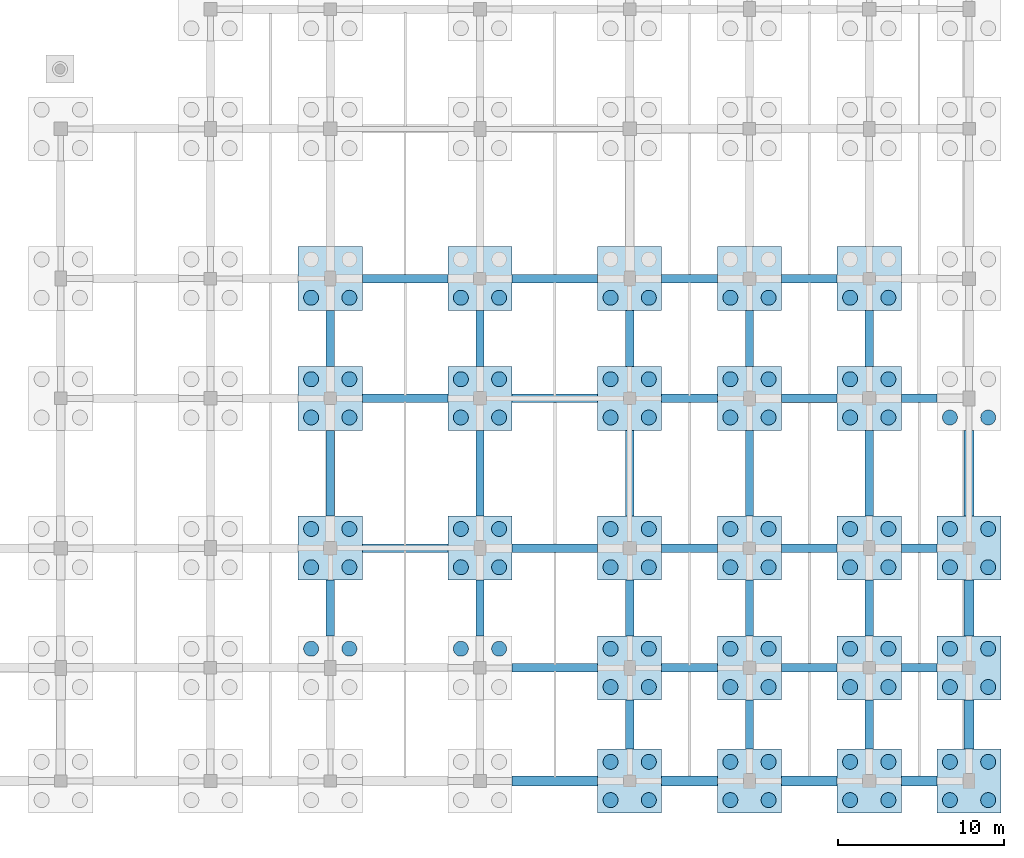
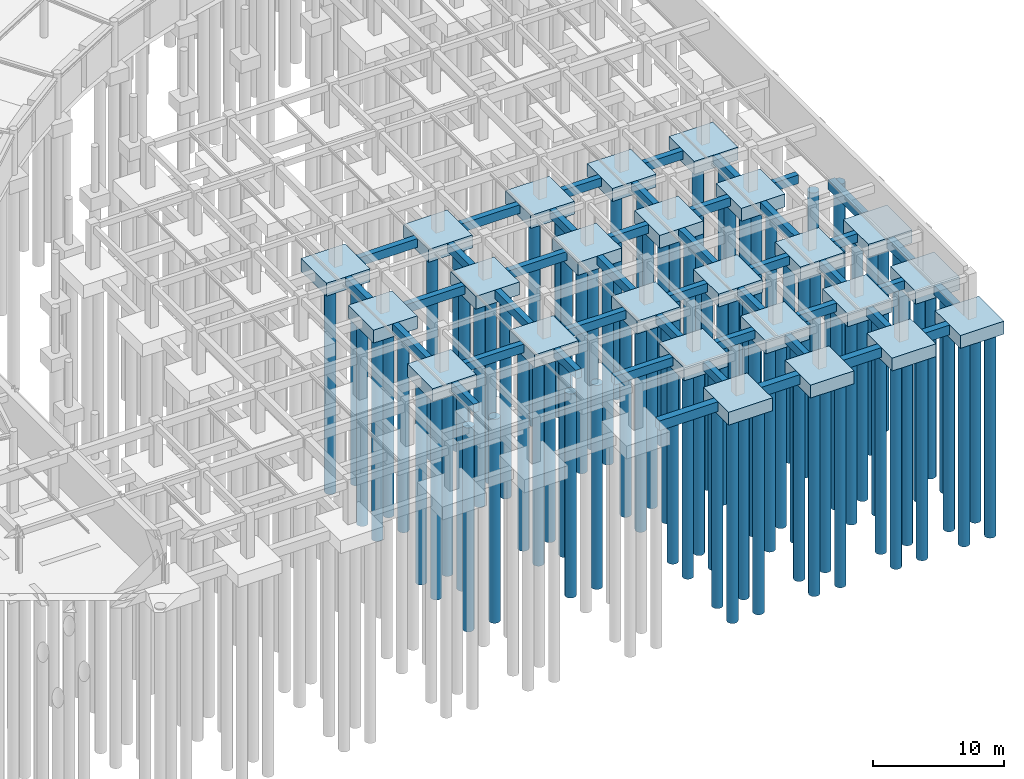
# One storey, part 9 of 42: 92 piles, 67 footings.
"""IFC4 building model written with IfcOpenShell, lengths in metres."""

from ifc_helpers import new_model, si_unit, direction, frame, frame_2d, origin, origin_2d, place, context, subcontext, project, spatial, rectangle, circle, extrude, material, material_profile, profile_set, type_object, element, save


model = new_model("IFC4")

# Units and contexts
model_context = context("Model", 3, precision=1e-05, world=origin(), true_north=direction((0.0, 1.0)))
body_context = subcontext(model_context, "Body", "Model", "MODEL_VIEW")
ifc_project = project(units=[si_unit("LENGTHUNIT", "METRE"), si_unit("AREAUNIT", "SQUARE_METRE"), si_unit("VOLUMEUNIT", "CUBIC_METRE"), si_unit("PLANEANGLEUNIT", "RADIAN"), si_unit("MASSUNIT", "GRAM", prefix="KILO")], contexts=[model_context])

# Site, building, storey
site_placement = place(None, origin())
site = spatial("IfcSite", under=ifc_project, at=site_placement, CompositionType="ELEMENT")
building_placement = place(site_placement, origin())
building = spatial("IfcBuilding", under=site, at=building_placement, Name="Clarverna Civic Hall", CompositionType="ELEMENT")
storey_placement = place(building_placement, frame((0.0, 0.0, -4.199951171875)))
storey = spatial("IfcBuildingStorey", under=building, at=storey_placement, Name="B01", CompositionType="ELEMENT", Elevation=-4.199951171875)

# Footings
ifc_material = material(Name="Concrete C30/37", Category="concrete")
footing_type_1 = type_object("IfcFootingType", Name="FC-02", PredefinedType="PILE_CAP", material=ifc_material)
for number, where, z_axis, x_axis, name in (
    (1, (129.60009765625, 14.0, -1.2001953125), (0.0, 0.0, 1.0), (1.0, 0.0, 0.0), "FC-02-113"),
    (2, (129.60009765625, 23.0, -1.2001953125), (0.0, 0.0, 1.0), (1.0, 0.0, 0.0), "FC-02-114"),
    (3, (129.60009765625, 30.199951171875, -1.2001953125), (0.0, 0.0, 1.0), (1.0, 0.0, 0.0), "FC-02-115"),
    (4, (138.60009765625, 14.0, -1.2001953125), (0.0, 0.0, 1.0), (1.0, 0.0, 0.0), "FC-02-120"),
    (5, (138.60009765625, 23.0, -1.2001953125), (0.0, 0.0, 1.0), (1.0, 0.0, 0.0), "FC-02-121"),
    (6, (138.60009765625, 30.199951171875, -1.2001953125), (0.0, 0.0, 1.0), (1.0, 0.0, 0.0), "FC-02-122"),
    (7, (147.60009765625, 0.0, -1.2001953125), (0.0, 0.0, 1.0), (1.0, 0.0, 0.0), "FC-02-125"),
    (8, (147.60009765625, 6.800048828125, -1.2001953125), (0.0, 0.0, 1.0), (1.0, 0.0, 0.0), "FC-02-126"),
    (9, (147.60009765625, 14.0, -1.2001953125), (0.0, 0.0, 1.0), (1.0, 0.0, 0.0), "FC-02-127"),
    (10, (147.60009765625, 23.0, -1.2001953125), (0.0, 0.0, 1.0), (1.0, 0.0, 0.0), "FC-02-128"),
    (11, (147.60009765625, 30.199951171875, -1.2001953125), (0.0, 0.0, 1.0), (1.0, 0.0, 0.0), "FC-02-129"),
    (12, (154.800048828125, 0.0, -1.2001953125), (0.0, 0.0, 1.0), (1.0, 0.0, 0.0), "FC-02-133"),
    (13, (154.800048828125, 6.800048828125, -1.2001953125), (0.0, 0.0, 1.0), (1.0, 0.0, 0.0), "FC-02-134"),
    (14, (154.800048828125, 14.0, -1.2001953125), (0.0, 0.0, 1.0), (1.0, 0.0, 0.0), "FC-02-135"),
    (15, (154.800048828125, 23.0, -1.2001953125), (0.0, 0.0, 1.0), (1.0, 0.0, 0.0), "FC-02-136"),
    (16, (154.800048828125, 30.199951171875, -1.2001953125), (0.0, 0.0, 1.0), (1.0, 0.0, 0.0), "FC-02-137"),
    (17, (162.0, 0.0, -1.2001953125), (0.0, 0.0, 1.0), (1.0, 0.0, 0.0), "FC-02-142"),
    (18, (162.0, 6.800048828125, -1.2001953125), (0.0, 0.0, 1.0), (1.0, 0.0, 0.0), "FC-02-143"),
    (19, (162.0, 14.0, -1.2001953125), (0.0, 0.0, 1.0), (1.0, 0.0, 0.0), "FC-02-144"),
    (20, (162.0, 23.0, -1.2001953125), (0.0, 0.0, 1.0), (1.0, 0.0, 0.0), "FC-02-145"),
    (21, (162.0, 30.199951171875, -1.2001953125), (0.0, 0.0, 1.0), (1.0, 0.0, 0.0), "FC-02-146"),
    (22, (168.0, 0.0, -1.2001953125), (0.0, 0.0, 1.0), (1.0, 0.0, 0.0), "FC-02-151"),
    (23, (168.0, 6.800048828125, -1.2001953125), (0.0, 0.0, 1.0), (1.0, 0.0, 0.0), "FC-02-152"),
    (24, (168.0, 14.0, -1.2001953125), (0.0, 0.0, 1.0), (1.0, 0.0, 0.0), "FC-02-153"),
):
    element("IfcFooting", number, at=place(storey_placement, frame(where, z_axis=z_axis, x_axis=x_axis)), inside=storey, type_object=footing_type_1, Name=name, PredefinedType="PILE_CAP", context=body_context, shape_type="SweptSolid", body=[
        extrude(rectangle(XDim=3.85009765625, YDim=3.85009765625, at=origin_2d()), origin(), (0.0, 0.0, 1.0), 1.199951171875),
    ])
footing_type_2 = type_object("IfcFootingType", Name="GB-01", PredefinedType="FOOTING_BEAM", material=ifc_material)
footing_1_placement = place(storey_placement, frame((140.52490234375, 6.800048828125, -0.800048828125), z_axis=(0.0, 0.0, 1.0), x_axis=(1.0, 0.0, 0.0)))
element("IfcFooting", 25, at=footing_1_placement, inside=storey, type_object=footing_type_2, Name="GB-01-015", PredefinedType="FOOTING_BEAM", context=body_context, shape_type="SweptSolid", body=[
    extrude(rectangle(XDim=5.150146484375, YDim=0.5, at=frame_2d((2.5751953125, 0.0))), origin(), (0.0, 0.0, 1.0), 0.800048828125),
])
footing_2_placement = place(storey_placement, frame((149.52490234375, 6.800048828125, -0.800048828125), z_axis=(0.0, 0.0, 1.0), x_axis=(1.0, 0.0, 0.0)))
element("IfcFooting", 26, at=footing_2_placement, inside=storey, type_object=footing_type_2, Name="GB-01-016", PredefinedType="FOOTING_BEAM", context=body_context, shape_type="SweptSolid", body=[
    extrude(rectangle(XDim=3.35009765625, YDim=0.5, at=frame_2d((1.675048828125, 0.0))), origin(), (0.0, 0.0, 1.0), 0.800048828125),
])
footing_3_placement = place(storey_placement, frame((156.72509765625, 6.800048828125, -0.800048828125), z_axis=(0.0, 0.0, 1.0), x_axis=(1.0, 0.0, 0.0)))
element("IfcFooting", 27, at=footing_3_placement, inside=storey, type_object=footing_type_2, Name="GB-01-017", PredefinedType="FOOTING_BEAM", context=body_context, shape_type="SweptSolid", body=[
    extrude(rectangle(XDim=3.349853515625, YDim=0.5, at=frame_2d((1.6748046875, 0.0))), origin(), (0.0, 0.0, 1.0), 0.800048828125),
])
footing_4_placement = place(storey_placement, frame((163.925048828125, 6.800048828125, -0.800048828125), z_axis=(0.0, 0.0, 1.0), x_axis=(1.0, 0.0, 0.0)))
element("IfcFooting", 28, at=footing_4_placement, inside=storey, type_object=footing_type_2, Name="GB-01-018", PredefinedType="FOOTING_BEAM", context=body_context, shape_type="SweptSolid", body=[
    extrude(rectangle(XDim=2.14990234375, YDim=0.5, at=frame_2d((1.074951171875, 0.0))), origin(), (0.0, 0.0, 1.0), 0.800048828125),
])
for number, where, z_axis, x_axis, name in (
    (29, (131.52490234375, 14.0, -0.800048828125), (0.0, 0.0, 1.0), (1.0, 0.0, 0.0), "GB-01-034"),
    (30, (140.52490234375, 14.0, -0.800048828125), (0.0, 0.0, 1.0), (1.0, 0.0, 0.0), "GB-01-035"),
):
    element("IfcFooting", number, at=place(storey_placement, frame(where, z_axis=z_axis, x_axis=x_axis)), inside=storey, type_object=footing_type_2, Name=name, PredefinedType="FOOTING_BEAM", context=body_context, shape_type="SweptSolid", body=[
        extrude(rectangle(XDim=5.150146484375, YDim=0.5, at=frame_2d((2.5751953125, 0.0))), origin(), (0.0, 0.0, 1.0), 0.800048828125),
    ])
footing_5_placement = place(storey_placement, frame((149.52490234375, 14.0, -0.800048828125), z_axis=(0.0, 0.0, 1.0), x_axis=(1.0, 0.0, 0.0)))
element("IfcFooting", 31, at=footing_5_placement, inside=storey, type_object=footing_type_2, Name="GB-01-036", PredefinedType="FOOTING_BEAM", context=body_context, shape_type="SweptSolid", body=[
    extrude(rectangle(XDim=3.35009765625, YDim=0.5, at=frame_2d((1.675048828125, 0.0))), origin(), (0.0, 0.0, 1.0), 0.800048828125),
])
footing_6_placement = place(storey_placement, frame((156.72509765625, 14.0, -0.800048828125), z_axis=(0.0, 0.0, 1.0), x_axis=(1.0, 0.0, 0.0)))
element("IfcFooting", 32, at=footing_6_placement, inside=storey, type_object=footing_type_2, Name="GB-01-037", PredefinedType="FOOTING_BEAM", context=body_context, shape_type="SweptSolid", body=[
    extrude(rectangle(XDim=3.349853515625, YDim=0.5, at=frame_2d((1.6748046875, 0.0))), origin(), (0.0, 0.0, 1.0), 0.800048828125),
])
footing_7_placement = place(storey_placement, frame((163.925048828125, 14.0, -0.800048828125), z_axis=(0.0, 0.0, 1.0), x_axis=(1.0, 0.0, 0.0)))
element("IfcFooting", 33, at=footing_7_placement, inside=storey, type_object=footing_type_2, Name="GB-01-038", PredefinedType="FOOTING_BEAM", context=body_context, shape_type="SweptSolid", body=[
    extrude(rectangle(XDim=2.14990234375, YDim=0.5, at=frame_2d((1.074951171875, 0.0))), origin(), (0.0, 0.0, 1.0), 0.800048828125),
])
for number, where, z_axis, x_axis, name in (
    (34, (131.52490234375, 23.0, -0.800048828125), (0.0, 0.0, 1.0), (1.0, 0.0, 0.0), "GB-01-044"),
    (35, (140.52490234375, 23.0, -0.800048828125), (0.0, 0.0, 1.0), (1.0, 0.0, 0.0), "GB-01-045"),
):
    element("IfcFooting", number, at=place(storey_placement, frame(where, z_axis=z_axis, x_axis=x_axis)), inside=storey, type_object=footing_type_2, Name=name, PredefinedType="FOOTING_BEAM", context=body_context, shape_type="SweptSolid", body=[
        extrude(rectangle(XDim=5.150146484375, YDim=0.5, at=frame_2d((2.5751953125, 0.0))), origin(), (0.0, 0.0, 1.0), 0.800048828125),
    ])
footing_8_placement = place(storey_placement, frame((149.52490234375, 23.0, -0.800048828125), z_axis=(0.0, 0.0, 1.0), x_axis=(1.0, 0.0, 0.0)))
element("IfcFooting", 36, at=footing_8_placement, inside=storey, type_object=footing_type_2, Name="GB-01-046", PredefinedType="FOOTING_BEAM", context=body_context, shape_type="SweptSolid", body=[
    extrude(rectangle(XDim=3.35009765625, YDim=0.5, at=frame_2d((1.675048828125, 0.0))), origin(), (0.0, 0.0, 1.0), 0.800048828125),
])
footing_9_placement = place(storey_placement, frame((156.72509765625, 23.0, -0.800048828125), z_axis=(0.0, 0.0, 1.0), x_axis=(1.0, 0.0, 0.0)))
element("IfcFooting", 37, at=footing_9_placement, inside=storey, type_object=footing_type_2, Name="GB-01-047", PredefinedType="FOOTING_BEAM", context=body_context, shape_type="SweptSolid", body=[
    extrude(rectangle(XDim=3.349853515625, YDim=0.5, at=frame_2d((1.6748046875, 0.0))), origin(), (0.0, 0.0, 1.0), 0.800048828125),
])
footing_10_placement = place(storey_placement, frame((163.925048828125, 23.0, -0.800048828125), z_axis=(0.0, 0.0, 1.0), x_axis=(1.0, 0.0, 0.0)))
element("IfcFooting", 38, at=footing_10_placement, inside=storey, type_object=footing_type_2, Name="GB-01-048", PredefinedType="FOOTING_BEAM", context=body_context, shape_type="SweptSolid", body=[
    extrude(rectangle(XDim=2.14990234375, YDim=0.5, at=frame_2d((1.074951171875, 0.0))), origin(), (0.0, 0.0, 1.0), 0.800048828125),
])
for number, where, z_axis, x_axis, name in (
    (39, (131.52490234375, 30.199951171875, -0.800048828125), (0.0, 0.0, 1.0), (1.0, 0.0, 0.0), "GB-01-053"),
    (40, (140.52490234375, 30.199951171875, -0.800048828125), (0.0, 0.0, 1.0), (1.0, 0.0, 0.0), "GB-01-054"),
):
    element("IfcFooting", number, at=place(storey_placement, frame(where, z_axis=z_axis, x_axis=x_axis)), inside=storey, type_object=footing_type_2, Name=name, PredefinedType="FOOTING_BEAM", context=body_context, shape_type="SweptSolid", body=[
        extrude(rectangle(XDim=5.150146484375, YDim=0.5, at=frame_2d((2.5751953125, 0.0))), origin(), (0.0, 0.0, 1.0), 0.800048828125),
    ])
footing_11_placement = place(storey_placement, frame((149.52490234375, 30.199951171875, -0.800048828125), z_axis=(0.0, 0.0, 1.0), x_axis=(1.0, 0.0, 0.0)))
element("IfcFooting", 41, at=footing_11_placement, inside=storey, type_object=footing_type_2, Name="GB-01-055", PredefinedType="FOOTING_BEAM", context=body_context, shape_type="SweptSolid", body=[
    extrude(rectangle(XDim=3.35009765625, YDim=0.5, at=frame_2d((1.675048828125, 0.0))), origin(), (0.0, 0.0, 1.0), 0.800048828125),
])
for number, where, z_axis, x_axis, name in (
    (42, (156.72509765625, 30.199951171875, -0.800048828125), (0.0, 0.0, 1.0), (1.0, 0.0, 0.0), "GB-01-056"),
    (43, (129.60009765625, 8.72509765625, -0.800048828125), (0.0, 0.0, 1.0), (0.0, 1.0, 0.0), "GB-01-289"),
):
    element("IfcFooting", number, at=place(storey_placement, frame(where, z_axis=z_axis, x_axis=x_axis)), inside=storey, type_object=footing_type_2, Name=name, PredefinedType="FOOTING_BEAM", context=body_context, shape_type="SweptSolid", body=[
        extrude(rectangle(XDim=3.349853515625, YDim=0.5, at=frame_2d((1.6748046875, 0.0))), origin(), (0.0, 0.0, 1.0), 0.800048828125),
    ])
footing_12_placement = place(storey_placement, frame((129.60009765625, 15.925048828125, -0.800048828125), z_axis=(0.0, 0.0, 1.0), x_axis=(0.0, 1.0, 0.0)))
element("IfcFooting", 44, at=footing_12_placement, inside=storey, type_object=footing_type_2, Name="GB-01-290", PredefinedType="FOOTING_BEAM", context=body_context, shape_type="SweptSolid", body=[
    extrude(rectangle(XDim=5.14990234375, YDim=0.5, at=frame_2d((2.574951171875, 0.0))), origin(), (0.0, 0.0, 1.0), 0.800048828125),
])
for number, where, z_axis, x_axis, name in (
    (45, (129.60009765625, 24.925048828125, -0.800048828125), (0.0, 0.0, 1.0), (0.0, 1.0, 0.0), "GB-01-291"),
    (46, (138.60009765625, 8.72509765625, -0.800048828125), (0.0, 0.0, 1.0), (0.0, 1.0, 0.0), "GB-01-298"),
):
    element("IfcFooting", number, at=place(storey_placement, frame(where, z_axis=z_axis, x_axis=x_axis)), inside=storey, type_object=footing_type_2, Name=name, PredefinedType="FOOTING_BEAM", context=body_context, shape_type="SweptSolid", body=[
        extrude(rectangle(XDim=3.349853515625, YDim=0.5, at=frame_2d((1.6748046875, 0.0))), origin(), (0.0, 0.0, 1.0), 0.800048828125),
    ])
footing_13_placement = place(storey_placement, frame((138.60009765625, 15.925048828125, -0.800048828125), z_axis=(0.0, 0.0, 1.0), x_axis=(0.0, 1.0, 0.0)))
element("IfcFooting", 47, at=footing_13_placement, inside=storey, type_object=footing_type_2, Name="GB-01-299", PredefinedType="FOOTING_BEAM", context=body_context, shape_type="SweptSolid", body=[
    extrude(rectangle(XDim=5.14990234375, YDim=0.5, at=frame_2d((2.574951171875, 0.0))), origin(), (0.0, 0.0, 1.0), 0.800048828125),
])
footing_14_placement = place(storey_placement, frame((138.60009765625, 24.925048828125, -0.800048828125), z_axis=(0.0, 0.0, 1.0), x_axis=(0.0, 1.0, 0.0)))
element("IfcFooting", 48, at=footing_14_placement, inside=storey, type_object=footing_type_2, Name="GB-01-300", PredefinedType="FOOTING_BEAM", context=body_context, shape_type="SweptSolid", body=[
    extrude(rectangle(XDim=3.349853515625, YDim=0.5, at=frame_2d((1.6748046875, 0.0))), origin(), (0.0, 0.0, 1.0), 0.800048828125),
])
footing_15_placement = place(storey_placement, frame((147.60009765625, 1.925048828125, -0.800048828125), z_axis=(0.0, 0.0, 1.0), x_axis=(0.0, 1.0, 0.0)))
element("IfcFooting", 49, at=footing_15_placement, inside=storey, type_object=footing_type_2, Name="GB-01-304", PredefinedType="FOOTING_BEAM", context=body_context, shape_type="SweptSolid", body=[
    extrude(rectangle(XDim=2.949951171875, YDim=0.5, at=frame_2d((1.47509765625, 0.0))), origin(), (0.0, 0.0, 1.0), 0.800048828125),
])
footing_16_placement = place(storey_placement, frame((147.60009765625, 8.72509765625, -0.800048828125), z_axis=(0.0, 0.0, 1.0), x_axis=(0.0, 1.0, 0.0)))
element("IfcFooting", 50, at=footing_16_placement, inside=storey, type_object=footing_type_2, Name="GB-01-305", PredefinedType="FOOTING_BEAM", context=body_context, shape_type="SweptSolid", body=[
    extrude(rectangle(XDim=3.349853515625, YDim=0.5, at=frame_2d((1.6748046875, 0.0))), origin(), (0.0, 0.0, 1.0), 0.800048828125),
])
footing_17_placement = place(storey_placement, frame((147.60009765625, 15.925048828125, -0.800048828125), z_axis=(0.0, 0.0, 1.0), x_axis=(0.0, 1.0, 0.0)))
element("IfcFooting", 51, at=footing_17_placement, inside=storey, type_object=footing_type_2, Name="GB-01-306", PredefinedType="FOOTING_BEAM", context=body_context, shape_type="SweptSolid", body=[
    extrude(rectangle(XDim=5.14990234375, YDim=0.5, at=frame_2d((2.574951171875, 0.0))), origin(), (0.0, 0.0, 1.0), 0.800048828125),
])
footing_18_placement = place(storey_placement, frame((147.60009765625, 24.925048828125, -0.800048828125), z_axis=(0.0, 0.0, 1.0), x_axis=(0.0, 1.0, 0.0)))
element("IfcFooting", 52, at=footing_18_placement, inside=storey, type_object=footing_type_2, Name="GB-01-307", PredefinedType="FOOTING_BEAM", context=body_context, shape_type="SweptSolid", body=[
    extrude(rectangle(XDim=3.349853515625, YDim=0.5, at=frame_2d((1.6748046875, 0.0))), origin(), (0.0, 0.0, 1.0), 0.800048828125),
])
footing_19_placement = place(storey_placement, frame((154.800048828125, 1.925048828125, -0.800048828125), z_axis=(0.0, 0.0, 1.0), x_axis=(0.0, 1.0, 0.0)))
element("IfcFooting", 53, at=footing_19_placement, inside=storey, type_object=footing_type_2, Name="GB-01-319", PredefinedType="FOOTING_BEAM", context=body_context, shape_type="SweptSolid", body=[
    extrude(rectangle(XDim=2.949951171875, YDim=0.5, at=frame_2d((1.47509765625, 0.0))), origin(), (0.0, 0.0, 1.0), 0.800048828125),
])
footing_20_placement = place(storey_placement, frame((154.800048828125, 8.72509765625, -0.800048828125), z_axis=(0.0, 0.0, 1.0), x_axis=(0.0, 1.0, 0.0)))
element("IfcFooting", 54, at=footing_20_placement, inside=storey, type_object=footing_type_2, Name="GB-01-320", PredefinedType="FOOTING_BEAM", context=body_context, shape_type="SweptSolid", body=[
    extrude(rectangle(XDim=3.349853515625, YDim=0.5, at=frame_2d((1.6748046875, 0.0))), origin(), (0.0, 0.0, 1.0), 0.800048828125),
])
footing_21_placement = place(storey_placement, frame((154.800048828125, 15.925048828125, -0.800048828125), z_axis=(0.0, 0.0, 1.0), x_axis=(0.0, 1.0, 0.0)))
element("IfcFooting", 55, at=footing_21_placement, inside=storey, type_object=footing_type_2, Name="GB-01-321", PredefinedType="FOOTING_BEAM", context=body_context, shape_type="SweptSolid", body=[
    extrude(rectangle(XDim=5.14990234375, YDim=0.5, at=frame_2d((2.574951171875, 0.0))), origin(), (0.0, 0.0, 1.0), 0.800048828125),
])
footing_22_placement = place(storey_placement, frame((154.800048828125, 24.925048828125, -0.800048828125), z_axis=(0.0, 0.0, 1.0), x_axis=(0.0, 1.0, 0.0)))
element("IfcFooting", 56, at=footing_22_placement, inside=storey, type_object=footing_type_2, Name="GB-01-322", PredefinedType="FOOTING_BEAM", context=body_context, shape_type="SweptSolid", body=[
    extrude(rectangle(XDim=3.349853515625, YDim=0.5, at=frame_2d((1.6748046875, 0.0))), origin(), (0.0, 0.0, 1.0), 0.800048828125),
])
footing_23_placement = place(storey_placement, frame((162.0, 1.925048828125, -0.800048828125), z_axis=(0.0, 0.0, 1.0), x_axis=(0.0, 1.0, 0.0)))
element("IfcFooting", 57, at=footing_23_placement, inside=storey, type_object=footing_type_2, Name="GB-01-334", PredefinedType="FOOTING_BEAM", context=body_context, shape_type="SweptSolid", body=[
    extrude(rectangle(XDim=2.949951171875, YDim=0.5, at=frame_2d((1.47509765625, 0.0))), origin(), (0.0, 0.0, 1.0), 0.800048828125),
])
footing_24_placement = place(storey_placement, frame((162.0, 8.72509765625, -0.800048828125), z_axis=(0.0, 0.0, 1.0), x_axis=(0.0, 1.0, 0.0)))
element("IfcFooting", 58, at=footing_24_placement, inside=storey, type_object=footing_type_2, Name="GB-01-335", PredefinedType="FOOTING_BEAM", context=body_context, shape_type="SweptSolid", body=[
    extrude(rectangle(XDim=3.349853515625, YDim=0.5, at=frame_2d((1.6748046875, 0.0))), origin(), (0.0, 0.0, 1.0), 0.800048828125),
])
footing_25_placement = place(storey_placement, frame((162.0, 15.925048828125, -0.800048828125), z_axis=(0.0, 0.0, 1.0), x_axis=(0.0, 1.0, 0.0)))
element("IfcFooting", 59, at=footing_25_placement, inside=storey, type_object=footing_type_2, Name="GB-01-336", PredefinedType="FOOTING_BEAM", context=body_context, shape_type="SweptSolid", body=[
    extrude(rectangle(XDim=5.14990234375, YDim=0.5, at=frame_2d((2.574951171875, 0.0))), origin(), (0.0, 0.0, 1.0), 0.800048828125),
])
footing_26_placement = place(storey_placement, frame((162.0, 24.925048828125, -0.800048828125), z_axis=(0.0, 0.0, 1.0), x_axis=(0.0, 1.0, 0.0)))
element("IfcFooting", 60, at=footing_26_placement, inside=storey, type_object=footing_type_2, Name="GB-01-337", PredefinedType="FOOTING_BEAM", context=body_context, shape_type="SweptSolid", body=[
    extrude(rectangle(XDim=3.349853515625, YDim=0.5, at=frame_2d((1.6748046875, 0.0))), origin(), (0.0, 0.0, 1.0), 0.800048828125),
])
footing_type_3 = type_object("IfcFootingType", Name="GB-02", PredefinedType="FOOTING_BEAM", material=ifc_material)
footing_27_placement = place(storey_placement, frame((140.52490234375, 0.0, -0.900146484375), z_axis=(0.0, 0.0, 1.0), x_axis=(1.0, 0.0, 0.0)))
element("IfcFooting", 61, at=footing_27_placement, inside=storey, type_object=footing_type_3, Name="GB-02-017", PredefinedType="FOOTING_BEAM", context=body_context, shape_type="SweptSolid", body=[
    extrude(rectangle(XDim=5.150146484375, YDim=0.60009765625, at=frame_2d((2.5751953125, 0.0))), origin(), (0.0, 0.0, 1.0), 0.900146484375),
])
footing_28_placement = place(storey_placement, frame((149.52490234375, 0.0, -0.900146484375), z_axis=(0.0, 0.0, 1.0), x_axis=(1.0, 0.0, 0.0)))
element("IfcFooting", 62, at=footing_28_placement, inside=storey, type_object=footing_type_3, Name="GB-02-018", PredefinedType="FOOTING_BEAM", context=body_context, shape_type="SweptSolid", body=[
    extrude(rectangle(XDim=3.35009765625, YDim=0.60009765625, at=frame_2d((1.675048828125, 0.0))), origin(), (0.0, 0.0, 1.0), 0.900146484375),
])
footing_29_placement = place(storey_placement, frame((156.72509765625, 0.0, -0.900146484375), z_axis=(0.0, 0.0, 1.0), x_axis=(1.0, 0.0, 0.0)))
element("IfcFooting", 63, at=footing_29_placement, inside=storey, type_object=footing_type_3, Name="GB-02-019", PredefinedType="FOOTING_BEAM", context=body_context, shape_type="SweptSolid", body=[
    extrude(rectangle(XDim=3.349853515625, YDim=0.60009765625, at=frame_2d((1.6748046875, 0.0))), origin(), (0.0, 0.0, 1.0), 0.900146484375),
])
footing_30_placement = place(storey_placement, frame((163.925048828125, 0.0, -0.900146484375), z_axis=(0.0, 0.0, 1.0), x_axis=(1.0, 0.0, 0.0)))
element("IfcFooting", 64, at=footing_30_placement, inside=storey, type_object=footing_type_3, Name="GB-02-020", PredefinedType="FOOTING_BEAM", context=body_context, shape_type="SweptSolid", body=[
    extrude(rectangle(XDim=2.14990234375, YDim=0.60009765625, at=frame_2d((1.074951171875, 0.0))), origin(), (0.0, 0.0, 1.0), 0.900146484375),
])
footing_31_placement = place(storey_placement, frame((168.0, 1.925048828125, -0.900146484375), z_axis=(0.0, 0.0, 1.0), x_axis=(0.0, 1.0, 0.0)))
element("IfcFooting", 65, at=footing_31_placement, inside=storey, type_object=footing_type_3, Name="GB-02-050", PredefinedType="FOOTING_BEAM", context=body_context, shape_type="SweptSolid", body=[
    extrude(rectangle(XDim=2.949951171875, YDim=0.60009765625, at=frame_2d((1.47509765625, 0.0))), origin(), (0.0, 0.0, 1.0), 0.900146484375),
])
footing_32_placement = place(storey_placement, frame((168.0, 8.72509765625, -0.900146484375), z_axis=(0.0, 0.0, 1.0), x_axis=(0.0, 1.0, 0.0)))
element("IfcFooting", 66, at=footing_32_placement, inside=storey, type_object=footing_type_3, Name="GB-02-051", PredefinedType="FOOTING_BEAM", context=body_context, shape_type="SweptSolid", body=[
    extrude(rectangle(XDim=3.349853515625, YDim=0.60009765625, at=frame_2d((1.6748046875, 0.0))), origin(), (0.0, 0.0, 1.0), 0.900146484375),
])
footing_33_placement = place(storey_placement, frame((168.0, 15.925048828125, -0.900146484375), z_axis=(0.0, 0.0, 1.0), x_axis=(0.0, 1.0, 0.0)))
element("IfcFooting", 67, at=footing_33_placement, inside=storey, type_object=footing_type_3, Name="GB-02-052", PredefinedType="FOOTING_BEAM", context=body_context, shape_type="SweptSolid", body=[
    extrude(rectangle(XDim=5.14990234375, YDim=0.60009765625, at=frame_2d((2.574951171875, 0.0))), origin(), (0.0, 0.0, 1.0), 0.900146484375),
])

# Piles
ifc_material_profile = material_profile(ifc_material, circle(Radius=0.449951171875, at=origin_2d()), Name="BORED PILE D900")
ifc_profile_set = profile_set([ifc_material_profile], Name="Concrete C30/37")
pile_type = type_object("IfcPileType", Name="PL-01", PredefinedType="BORED", material=ifc_profile_set)
for number, where, z_axis, x_axis, name in (
    (68, (128.449951171875, 7.949951171875, -1.10009765625), (0.0, 0.0, -1.0), (1.0, 0.0, 0.0), "PL-01-527"),
    (69, (130.75, 7.949951171875, -1.10009765625), (0.0, 0.0, -1.0), (1.0, 0.0, 0.0), "PL-01-528"),
    (70, (128.449951171875, 12.85009765625, -1.10009765625), (0.0, 0.0, -1.0), (1.0, 0.0, 0.0), "PL-01-529"),
    (71, (130.75, 12.85009765625, -1.10009765625), (0.0, 0.0, -1.0), (1.0, 0.0, 0.0), "PL-01-530"),
    (72, (128.449951171875, 15.14990234375, -1.10009765625), (0.0, 0.0, -1.0), (1.0, 0.0, 0.0), "PL-01-531"),
    (73, (130.75, 15.14990234375, -1.10009765625), (0.0, 0.0, -1.0), (1.0, 0.0, 0.0), "PL-01-532"),
    (74, (128.449951171875, 21.85009765625, -1.10009765625), (0.0, 0.0, -1.0), (1.0, 0.0, 0.0), "PL-01-533"),
    (75, (130.75, 21.85009765625, -1.10009765625), (0.0, 0.0, -1.0), (1.0, 0.0, 0.0), "PL-01-534"),
    (76, (128.449951171875, 24.14990234375, -1.10009765625), (0.0, 0.0, -1.0), (1.0, 0.0, 0.0), "PL-01-535"),
    (77, (130.75, 24.14990234375, -1.10009765625), (0.0, 0.0, -1.0), (1.0, 0.0, 0.0), "PL-01-536"),
    (78, (128.449951171875, 29.050048828125, -1.10009765625), (0.0, 0.0, -1.0), (1.0, 0.0, 0.0), "PL-01-537"),
    (79, (130.75, 29.050048828125, -1.10009765625), (0.0, 0.0, -1.0), (1.0, 0.0, 0.0), "PL-01-538"),
    (80, (137.449951171875, 7.949951171875, -1.10009765625), (0.0, 0.0, -1.0), (1.0, 0.0, 0.0), "PL-01-573"),
    (81, (139.75, 7.949951171875, -1.10009765625), (0.0, 0.0, -1.0), (1.0, 0.0, 0.0), "PL-01-574"),
    (82, (137.449951171875, 12.85009765625, -1.10009765625), (0.0, 0.0, -1.0), (1.0, 0.0, 0.0), "PL-01-575"),
    (83, (139.75, 12.85009765625, -1.10009765625), (0.0, 0.0, -1.0), (1.0, 0.0, 0.0), "PL-01-576"),
    (84, (137.449951171875, 15.14990234375, -1.10009765625), (0.0, 0.0, -1.0), (1.0, 0.0, 0.0), "PL-01-577"),
    (85, (139.75, 15.14990234375, -1.10009765625), (0.0, 0.0, -1.0), (1.0, 0.0, 0.0), "PL-01-578"),
    (86, (137.449951171875, 21.85009765625, -1.10009765625), (0.0, 0.0, -1.0), (1.0, 0.0, 0.0), "PL-01-579"),
    (87, (139.75, 21.85009765625, -1.10009765625), (0.0, 0.0, -1.0), (1.0, 0.0, 0.0), "PL-01-580"),
    (88, (137.449951171875, 24.14990234375, -1.10009765625), (0.0, 0.0, -1.0), (1.0, 0.0, 0.0), "PL-01-581"),
    (89, (139.75, 24.14990234375, -1.10009765625), (0.0, 0.0, -1.0), (1.0, 0.0, 0.0), "PL-01-582"),
    (90, (137.449951171875, 29.050048828125, -1.10009765625), (0.0, 0.0, -1.0), (1.0, 0.0, 0.0), "PL-01-583"),
    (91, (139.75, 29.050048828125, -1.10009765625), (0.0, 0.0, -1.0), (1.0, 0.0, 0.0), "PL-01-584"),
    (92, (146.449951171875, -1.14990234375, -1.10009765625), (0.0, 0.0, -1.0), (1.0, 0.0, 0.0), "PL-01-607"),
    (93, (148.75, -1.14990234375, -1.10009765625), (0.0, 0.0, -1.0), (1.0, 0.0, 0.0), "PL-01-608"),
    (94, (146.449951171875, 1.14990234375, -1.10009765625), (0.0, 0.0, -1.0), (1.0, 0.0, 0.0), "PL-01-609"),
    (95, (148.75, 1.14990234375, -1.10009765625), (0.0, 0.0, -1.0), (1.0, 0.0, 0.0), "PL-01-610"),
    (96, (146.449951171875, 5.64990234375, -1.10009765625), (0.0, 0.0, -1.0), (1.0, 0.0, 0.0), "PL-01-611"),
    (97, (148.75, 5.64990234375, -1.10009765625), (0.0, 0.0, -1.0), (1.0, 0.0, 0.0), "PL-01-612"),
    (98, (146.449951171875, 7.949951171875, -1.10009765625), (0.0, 0.0, -1.0), (1.0, 0.0, 0.0), "PL-01-613"),
    (99, (148.75, 7.949951171875, -1.10009765625), (0.0, 0.0, -1.0), (1.0, 0.0, 0.0), "PL-01-614"),
    (100, (146.449951171875, 12.85009765625, -1.10009765625), (0.0, 0.0, -1.0), (1.0, 0.0, 0.0), "PL-01-615"),
    (101, (148.75, 12.85009765625, -1.10009765625), (0.0, 0.0, -1.0), (1.0, 0.0, 0.0), "PL-01-616"),
    (102, (146.449951171875, 15.14990234375, -1.10009765625), (0.0, 0.0, -1.0), (1.0, 0.0, 0.0), "PL-01-617"),
    (103, (148.75, 15.14990234375, -1.10009765625), (0.0, 0.0, -1.0), (1.0, 0.0, 0.0), "PL-01-618"),
    (104, (146.449951171875, 21.85009765625, -1.10009765625), (0.0, 0.0, -1.0), (1.0, 0.0, 0.0), "PL-01-619"),
    (105, (148.75, 21.85009765625, -1.10009765625), (0.0, 0.0, -1.0), (1.0, 0.0, 0.0), "PL-01-620"),
    (106, (146.449951171875, 24.14990234375, -1.10009765625), (0.0, 0.0, -1.0), (1.0, 0.0, 0.0), "PL-01-621"),
    (107, (148.75, 24.14990234375, -1.10009765625), (0.0, 0.0, -1.0), (1.0, 0.0, 0.0), "PL-01-622"),
    (108, (146.449951171875, 29.050048828125, -1.10009765625), (0.0, 0.0, -1.0), (1.0, 0.0, 0.0), "PL-01-623"),
    (109, (148.75, 29.050048828125, -1.10009765625), (0.0, 0.0, -1.0), (1.0, 0.0, 0.0), "PL-01-624"),
    (110, (153.64990234375, -1.14990234375, -1.10009765625), (0.0, 0.0, -1.0), (1.0, 0.0, 0.0), "PL-01-671"),
    (111, (155.949951171875, -1.14990234375, -1.10009765625), (0.0, 0.0, -1.0), (1.0, 0.0, 0.0), "PL-01-672"),
    (112, (153.64990234375, 1.14990234375, -1.10009765625), (0.0, 0.0, -1.0), (1.0, 0.0, 0.0), "PL-01-673"),
    (113, (155.949951171875, 1.14990234375, -1.10009765625), (0.0, 0.0, -1.0), (1.0, 0.0, 0.0), "PL-01-674"),
    (114, (153.64990234375, 5.64990234375, -1.10009765625), (0.0, 0.0, -1.0), (1.0, 0.0, 0.0), "PL-01-675"),
    (115, (155.949951171875, 5.64990234375, -1.10009765625), (0.0, 0.0, -1.0), (1.0, 0.0, 0.0), "PL-01-676"),
    (116, (153.64990234375, 7.949951171875, -1.10009765625), (0.0, 0.0, -1.0), (1.0, 0.0, 0.0), "PL-01-677"),
    (117, (155.949951171875, 7.949951171875, -1.10009765625), (0.0, 0.0, -1.0), (1.0, 0.0, 0.0), "PL-01-678"),
    (118, (153.64990234375, 12.85009765625, -1.10009765625), (0.0, 0.0, -1.0), (1.0, 0.0, 0.0), "PL-01-679"),
    (119, (155.949951171875, 12.85009765625, -1.10009765625), (0.0, 0.0, -1.0), (1.0, 0.0, 0.0), "PL-01-680"),
    (120, (153.64990234375, 15.14990234375, -1.10009765625), (0.0, 0.0, -1.0), (1.0, 0.0, 0.0), "PL-01-681"),
    (121, (155.949951171875, 15.14990234375, -1.10009765625), (0.0, 0.0, -1.0), (1.0, 0.0, 0.0), "PL-01-682"),
    (122, (153.64990234375, 21.85009765625, -1.10009765625), (0.0, 0.0, -1.0), (1.0, 0.0, 0.0), "PL-01-683"),
    (123, (155.949951171875, 21.85009765625, -1.10009765625), (0.0, 0.0, -1.0), (1.0, 0.0, 0.0), "PL-01-684"),
    (124, (153.64990234375, 24.14990234375, -1.10009765625), (0.0, 0.0, -1.0), (1.0, 0.0, 0.0), "PL-01-685"),
    (125, (155.949951171875, 24.14990234375, -1.10009765625), (0.0, 0.0, -1.0), (1.0, 0.0, 0.0), "PL-01-686"),
    (126, (153.64990234375, 29.050048828125, -1.10009765625), (0.0, 0.0, -1.0), (1.0, 0.0, 0.0), "PL-01-687"),
    (127, (155.949951171875, 29.050048828125, -1.10009765625), (0.0, 0.0, -1.0), (1.0, 0.0, 0.0), "PL-01-688"),
    (128, (160.85009765625, -1.14990234375, -1.10009765625), (0.0, 0.0, -1.0), (1.0, 0.0, 0.0), "PL-01-731"),
    (129, (163.14990234375, -1.14990234375, -1.10009765625), (0.0, 0.0, -1.0), (1.0, 0.0, 0.0), "PL-01-732"),
    (130, (160.85009765625, 1.14990234375, -1.10009765625), (0.0, 0.0, -1.0), (1.0, 0.0, 0.0), "PL-01-733"),
    (131, (163.14990234375, 1.14990234375, -1.10009765625), (0.0, 0.0, -1.0), (1.0, 0.0, 0.0), "PL-01-734"),
    (132, (160.85009765625, 5.64990234375, -1.10009765625), (0.0, 0.0, -1.0), (1.0, 0.0, 0.0), "PL-01-735"),
    (133, (163.14990234375, 5.64990234375, -1.10009765625), (0.0, 0.0, -1.0), (1.0, 0.0, 0.0), "PL-01-736"),
    (134, (160.85009765625, 7.949951171875, -1.10009765625), (0.0, 0.0, -1.0), (1.0, 0.0, 0.0), "PL-01-737"),
    (135, (163.14990234375, 7.949951171875, -1.10009765625), (0.0, 0.0, -1.0), (1.0, 0.0, 0.0), "PL-01-738"),
    (136, (160.85009765625, 12.85009765625, -1.10009765625), (0.0, 0.0, -1.0), (1.0, 0.0, 0.0), "PL-01-739"),
    (137, (163.14990234375, 12.85009765625, -1.10009765625), (0.0, 0.0, -1.0), (1.0, 0.0, 0.0), "PL-01-740"),
    (138, (160.85009765625, 15.14990234375, -1.10009765625), (0.0, 0.0, -1.0), (1.0, 0.0, 0.0), "PL-01-741"),
    (139, (163.14990234375, 15.14990234375, -1.10009765625), (0.0, 0.0, -1.0), (1.0, 0.0, 0.0), "PL-01-742"),
    (140, (160.85009765625, 21.85009765625, -1.10009765625), (0.0, 0.0, -1.0), (1.0, 0.0, 0.0), "PL-01-743"),
    (141, (163.14990234375, 21.85009765625, -1.10009765625), (0.0, 0.0, -1.0), (1.0, 0.0, 0.0), "PL-01-744"),
    (142, (160.85009765625, 24.14990234375, -1.10009765625), (0.0, 0.0, -1.0), (1.0, 0.0, 0.0), "PL-01-745"),
    (143, (163.14990234375, 24.14990234375, -1.10009765625), (0.0, 0.0, -1.0), (1.0, 0.0, 0.0), "PL-01-746"),
    (144, (160.85009765625, 29.050048828125, -1.10009765625), (0.0, 0.0, -1.0), (1.0, 0.0, 0.0), "PL-01-747"),
    (145, (163.14990234375, 29.050048828125, -1.10009765625), (0.0, 0.0, -1.0), (1.0, 0.0, 0.0), "PL-01-748"),
    (146, (166.85009765625, -1.14990234375, -1.10009765625), (0.0, 0.0, -1.0), (1.0, 0.0, 0.0), "PL-01-791"),
    (147, (169.14990234375, -1.14990234375, -1.10009765625), (0.0, 0.0, -1.0), (1.0, 0.0, 0.0), "PL-01-792"),
    (148, (166.85009765625, 1.14990234375, -1.10009765625), (0.0, 0.0, -1.0), (1.0, 0.0, 0.0), "PL-01-793"),
    (149, (169.14990234375, 1.14990234375, -1.10009765625), (0.0, 0.0, -1.0), (1.0, 0.0, 0.0), "PL-01-794"),
    (150, (166.85009765625, 5.64990234375, -1.10009765625), (0.0, 0.0, -1.0), (1.0, 0.0, 0.0), "PL-01-795"),
    (151, (169.14990234375, 5.64990234375, -1.10009765625), (0.0, 0.0, -1.0), (1.0, 0.0, 0.0), "PL-01-796"),
    (152, (166.85009765625, 7.949951171875, -1.10009765625), (0.0, 0.0, -1.0), (1.0, 0.0, 0.0), "PL-01-797"),
    (153, (169.14990234375, 7.949951171875, -1.10009765625), (0.0, 0.0, -1.0), (1.0, 0.0, 0.0), "PL-01-798"),
    (154, (166.85009765625, 12.85009765625, -1.10009765625), (0.0, 0.0, -1.0), (1.0, 0.0, 0.0), "PL-01-799"),
    (155, (169.14990234375, 12.85009765625, -1.10009765625), (0.0, 0.0, -1.0), (1.0, 0.0, 0.0), "PL-01-800"),
    (156, (166.85009765625, 15.14990234375, -1.10009765625), (0.0, 0.0, -1.0), (1.0, 0.0, 0.0), "PL-01-801"),
    (157, (169.14990234375, 15.14990234375, -1.10009765625), (0.0, 0.0, -1.0), (1.0, 0.0, 0.0), "PL-01-802"),
    (158, (166.85009765625, 21.85009765625, -1.10009765625), (0.0, 0.0, -1.0), (1.0, 0.0, 0.0), "PL-01-803"),
    (159, (169.14990234375, 21.85009765625, -1.10009765625), (0.0, 0.0, -1.0), (1.0, 0.0, 0.0), "PL-01-804"),
):
    element("IfcPile", number, at=place(storey_placement, frame(where, z_axis=z_axis, x_axis=x_axis)), inside=storey, type_object=pile_type, Name=name, PredefinedType="BORED", context=body_context, shape_type="SweptSolid", body=[
        extrude(circle(Radius=0.449951171875, at=origin_2d()), origin(), (0.0, 0.0, 1.0), 19.0),
    ])

save(model, "model.ifc")
